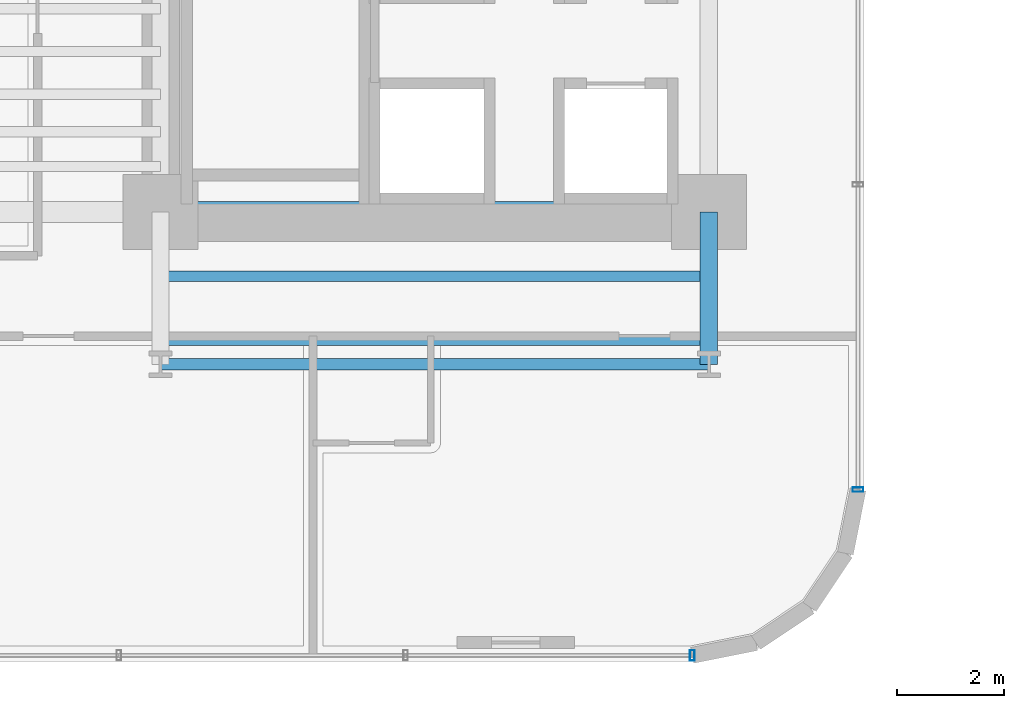
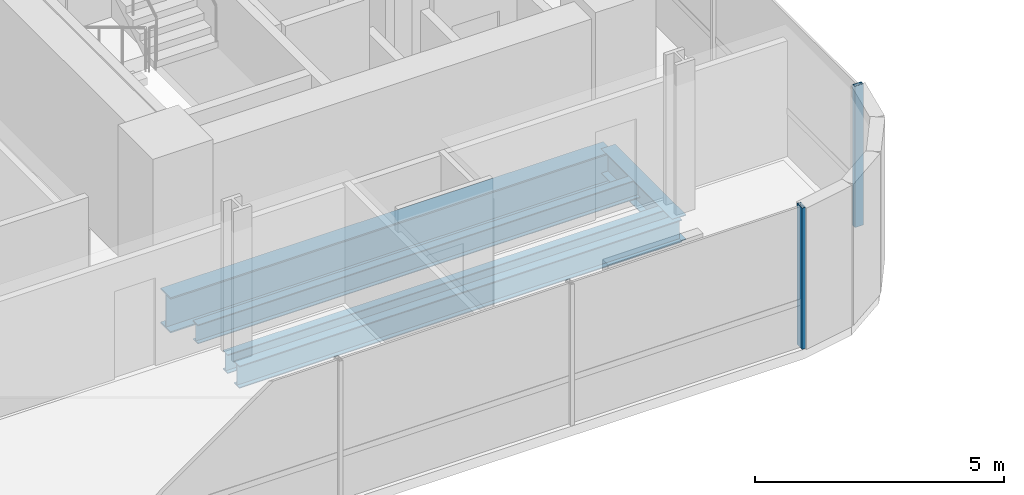
# One storey, part 5 of 40: 5 beams, 2 members, 2 elements without a shape of their own.
"""IFC4 building model written with IfcOpenShell, lengths in metres."""

from ifc_helpers import new_model, si_unit, direction, frame, origin, origin_2d, place, context, subcontext, project, spatial, hollow_rectangle, i_section, extrude, source, transform, mapped, material, material_profile, profile_set, type_object, element, aggregate, save


model = new_model("IFC4")

# Units and contexts
model_context = context("Model", 3, precision=1e-05, world=origin(), true_north=direction((0.0, 1.0)))
body_context = subcontext(model_context, "Body", "Model", "MODEL_VIEW")
ifc_project = project(units=[si_unit("LENGTHUNIT", "METRE"), si_unit("AREAUNIT", "SQUARE_METRE"), si_unit("VOLUMEUNIT", "CUBIC_METRE"), si_unit("PLANEANGLEUNIT", "RADIAN"), si_unit("MASSUNIT", "GRAM", prefix="KILO")], contexts=[model_context])

# Site, building, storey
site_placement = place(None, origin())
site = spatial("IfcSite", under=ifc_project, at=site_placement, CompositionType="ELEMENT")
building_placement = place(site_placement, origin())
building = spatial("IfcBuilding", under=site, at=building_placement, Name="Valdorenza Pilgrim Sanctuary Tower", CompositionType="ELEMENT")
storey_placement = place(building_placement, frame((0.0, 0.0, 66.699951171875)))
storey = spatial("IfcBuildingStorey", under=building, at=storey_placement, Name="L16", CompositionType="ELEMENT", Elevation=66.699951171875)

# Beams
ifc_material_1 = material(Name="Steel ASTM A992 Grade 50", Category="steel")
ifc_material_profile_1 = material_profile(ifc_material_1, i_section(OverallWidth=0.214111328125, OverallDepth=0.549072265625, WebThickness=0.0146484375, FlangeThickness=0.023681640625, at=origin_2d()), Name="W21X93")
ifc_profile_set_1 = profile_set([ifc_material_profile_1], Name="Steel ASTM A992 Grade 50")
beam_type_1 = type_object("IfcBeamType", Name="STR-BM-SPN-W21A", PredefinedType="SPANDREL", material=ifc_profile_set_1)
shared_shape_1 = source(origin(), body_context, "Body", "SweptSolid", [
    extrude(i_section(OverallWidth=0.214111328125, OverallDepth=0.549072265625, WebThickness=0.0146484375, FlangeThickness=0.023681640625, at=origin_2d()), origin(), (0.0, 0.0, 1.0), 10.25),
])
beam_1_placement = place(storey_placement, frame((-22.64990234375, -13.449951171875, -0.514404296875), z_axis=(1.0, 0.0, 0.0), x_axis=(0.0, 1.0, 0.0)))
element("IfcBeam", 1, at=beam_1_placement, inside=storey, type_object=beam_type_1, Name="L16 South Spandrel WA-S-TIE", PredefinedType="SPANDREL", context=body_context, shape_type="MappedRepresentation", body=[
    mapped(shared_shape_1, transform((0.0, 0.0, 0.0), x_axis=(1.0, 0.0, 0.0), y_axis=(0.0, 1.0, 0.0), z_axis=(0.0, 0.0, 1.0), scale=1.0)),
])
ifc_material_profile_2 = material_profile(ifc_material_1, i_section(OverallWidth=0.323974609375, OverallDepth=0.611083984375, WebThickness=0.0126953125, FlangeThickness=0.01904296875, at=origin_2d()), Name="W24X104")
ifc_profile_set_2 = profile_set([ifc_material_profile_2], Name="Steel ASTM A992 Grade 50")
beam_type_2 = type_object("IfcBeamType", Name="STR-BM-GRD-W24B", PredefinedType="BEAM", material=ifc_profile_set_2)
shared_shape_2 = source(origin(), body_context, "Body", "SweptSolid", [
    extrude(i_section(OverallWidth=0.323974609375, OverallDepth=0.611083984375, WebThickness=0.0126953125, FlangeThickness=0.01904296875, at=origin_2d()), origin(), (0.0, 0.0, 1.0), 2.849853515625),
])
beam_2_placement = place(storey_placement, frame((-12.39990234375, -13.449951171875, -0.54541015625), z_axis=(0.0, 1.0, 0.0), x_axis=(-1.0, 0.0, 0.0)))
element("IfcBeam", 2, at=beam_2_placement, inside=storey, type_object=beam_type_2, Name="L16 Floor Girder WA-S-LE", PredefinedType="BEAM", context=body_context, shape_type="MappedRepresentation", body=[
    mapped(shared_shape_2, transform((0.0, 0.0, 0.0), x_axis=(1.0, 0.0, 0.0), y_axis=(0.0, 1.0, 0.0), z_axis=(0.0, 0.0, 1.0), scale=1.0)),
])
ifc_material_profile_3 = material_profile(ifc_material_1, i_section(OverallWidth=0.193115234375, OverallDepth=0.466064453125, WebThickness=0.011474609375, FlangeThickness=0.01904296875, at=origin_2d()), Name="W18X65")
ifc_profile_set_3 = profile_set([ifc_material_profile_3], Name="Steel ASTM A992 Grade 50")
beam_type_3 = type_object("IfcBeamType", Name="STR-BM-JST-W18A", PredefinedType="JOIST", material=ifc_profile_set_3)
shared_shape_3 = source(origin(), body_context, "Body", "SweptSolid", [
    extrude(i_section(OverallWidth=0.193115234375, OverallDepth=0.466064453125, WebThickness=0.011474609375, FlangeThickness=0.01904296875, at=origin_2d()), origin(), (0.0, 0.0, 1.0), 10.25),
])
for number, where, z_axis, x_axis, name in (
    (3, (-22.64990234375, -13.0, -0.472900390625), (1.0, 0.0, 0.0), (0.0, 1.0, 0.0), "L16 Composite Floor Joist JST-WAS-1"),
    (4, (-22.64990234375, -11.800048828125, -0.472900390625), (1.0, 0.0, 0.0), (0.0, 1.0, 0.0), "L16 Composite Floor Joist JST-WAS-2"),
):
    element("IfcBeam", number, at=place(storey_placement, frame(where, z_axis=z_axis, x_axis=x_axis)), inside=storey, type_object=beam_type_3, Name=name, PredefinedType="JOIST", context=body_context, shape_type="MappedRepresentation", body=[
        mapped(shared_shape_3, transform((0.0, 0.0, 0.0), x_axis=(1.0, 0.0, 0.0), y_axis=(0.0, 1.0, 0.0), z_axis=(0.0, 0.0, 1.0), scale=1.0)),
    ])
ifc_material_profile_4 = material_profile(ifc_material_1, i_section(OverallWidth=0.39990234375, OverallDepth=0.862060546875, WebThickness=0.019775390625, FlangeThickness=0.032470703125, at=origin_2d()), Name="W33X221")
ifc_profile_set_4 = profile_set([ifc_material_profile_4], Name="Steel ASTM A992 Grade 50")
beam_type_4 = type_object("IfcBeamType", Name="STR-BM-GRD-W33", PredefinedType="BEAM", material=ifc_profile_set_4)
shared_shape_4 = source(origin(), body_context, "Body", "SweptSolid", [
    extrude(i_section(OverallWidth=0.39990234375, OverallDepth=0.862060546875, WebThickness=0.019775390625, FlangeThickness=0.032470703125, at=origin_2d()), origin(), (0.0, 0.0, 1.0), 10.25),
])
beam_3_placement = place(storey_placement, frame((-22.64990234375, -10.60009765625, -0.6708984375), z_axis=(1.0, 0.0, 0.0), x_axis=(0.0, 1.0, 0.0)))
element("IfcBeam", 5, at=beam_3_placement, inside=storey, type_object=beam_type_4, Name="L16 Floor Girder CA-XC-S1", PredefinedType="BEAM", context=body_context, shape_type="MappedRepresentation", body=[
    mapped(shared_shape_4, transform((0.0, 0.0, 0.0), x_axis=(1.0, 0.0, 0.0), y_axis=(0.0, 1.0, 0.0), z_axis=(0.0, 0.0, 1.0), scale=1.0)),
])

# Curtain wall, member
ifc_material_2 = material(Name="Curtain-wall IGU glazing", Category="glass")
curtain_wall_type = type_object("IfcCurtainWallType", Name="CW-SYS-02", PredefinedType="NOTDEFINED", material=ifc_material_2)
curtain_wall_1_placement = place(storey_placement, origin())
curtain_wall_1 = element("IfcCurtainWall", 6, at=curtain_wall_1_placement, inside=storey, type_object=curtain_wall_type, Name="L16 Curtain Wall CW-L16-1-41", PredefinedType="NOTDEFINED")
ifc_material_3 = material(Name="Anodised aluminium AW-6060", Category="aluminium")
ifc_material_profile_5 = material_profile(ifc_material_3, hollow_rectangle(XDim=0.0849609375, YDim=0.199951171875, WallThickness=0.0048828125, at=origin_2d()), Name="ALU-M 200x85x5")
ifc_profile_set_5 = profile_set([ifc_material_profile_5], Name="Anodised aluminium AW-6060")
member_type = type_object("IfcMemberType", Name="CW-MUL-02", PredefinedType="MULLION", material=ifc_profile_set_5)
shared_shape_5 = source(origin(), body_context, "Body", "SweptSolid", [
    extrude(hollow_rectangle(XDim=0.0849609375, YDim=0.199951171875, WallThickness=0.0048828125, at=origin_2d()), origin(), (0.0, 0.0, 1.0), 3.4599609375),
])
member_1_placement = place(storey_placement, frame((-9.610107421875, -15.789306640625, 0.0), z_axis=(0.0, 0.0, 1.0), x_axis=(0.0, -1.0, 0.0)))
member_1 = element("IfcMember", 7, at=member_1_placement, type_object=member_type, Name="CW-L16-1-41 Mullion 5", PredefinedType="MULLION", context=body_context, shape_type="MappedRepresentation", body=[
    mapped(shared_shape_5, transform((0.0, 0.0, 0.0), x_axis=(1.0, 0.0, 0.0), y_axis=(0.0, 1.0, 0.0), z_axis=(0.0, 0.0, 1.0), scale=1.0)),
])
aggregate(curtain_wall_1, [member_1])

curtain_wall_2_placement = place(storey_placement, origin())
curtain_wall_2 = element("IfcCurtainWall", 8, at=curtain_wall_2_placement, inside=storey, type_object=curtain_wall_type, Name="L16 Curtain Wall CW-L16-1-46", PredefinedType="NOTDEFINED")
member_2_placement = place(storey_placement, frame((-12.710693359375, -18.889892578125, 0.0), z_axis=(0.0, 0.0, 1.0), x_axis=(-1.0, 0.0, 0.0)))
member_2 = element("IfcMember", 9, at=member_2_placement, type_object=member_type, Name="CW-L16-1-46 Mullion 1", PredefinedType="MULLION", context=body_context, shape_type="MappedRepresentation", body=[
    mapped(shared_shape_5, transform((0.0, 0.0, 0.0), x_axis=(1.0, 0.0, 0.0), y_axis=(0.0, 1.0, 0.0), z_axis=(0.0, 0.0, 1.0), scale=1.0)),
])
aggregate(curtain_wall_2, [member_2])

save(model, "model.ifc")
